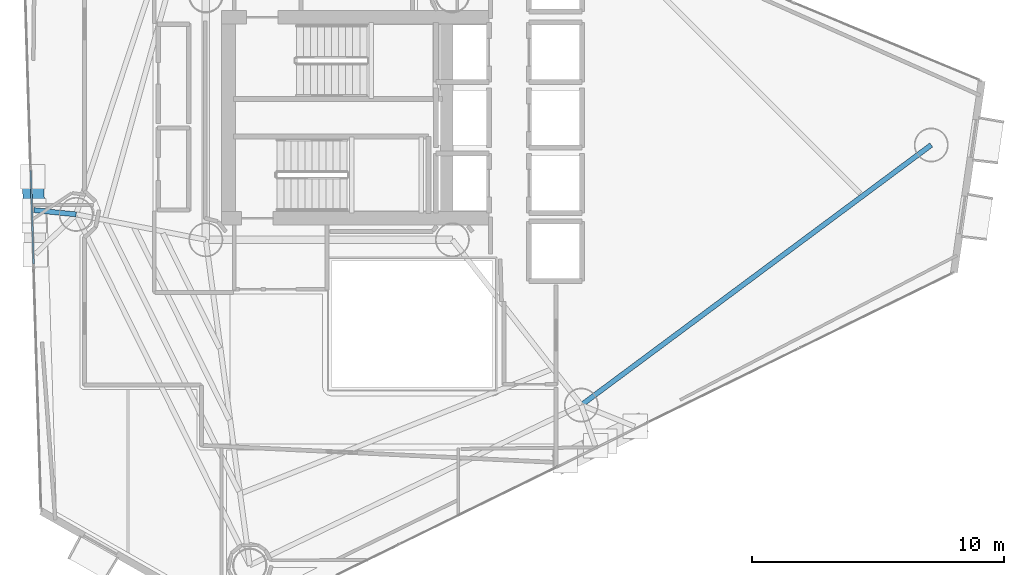
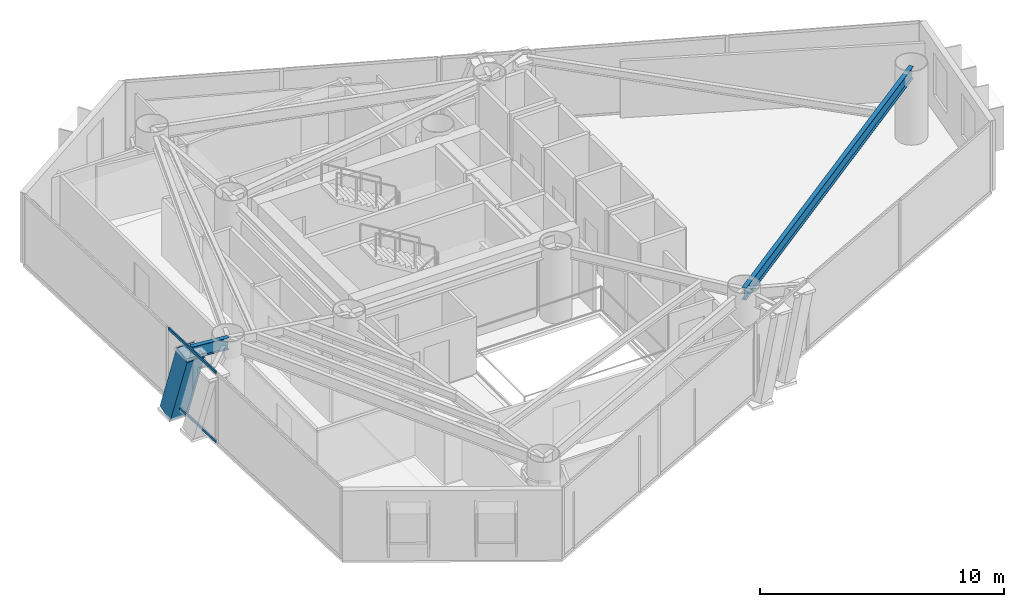
# One storey, part 8 of 23: 3 members, 2 beams, 1 element without a shape of its own.
"""IFC4 building model written with IfcOpenShell, lengths in metres."""

from ifc_helpers import new_model, si_unit, direction, frame, origin, origin_2d, place, context, subcontext, project, spatial, hollow_rectangle, i_section, extrude, material, layer, layer_set, material_profile, profile_set, type_object, element, aggregate, save


model = new_model("IFC4")

# Units and contexts
model_context = context("Model", 3, precision=1e-05, world=origin(), true_north=direction((0.0, 1.0)))
body_context = subcontext(model_context, "Body", "Model", "MODEL_VIEW")
ifc_project = project(units=[si_unit("LENGTHUNIT", "METRE"), si_unit("AREAUNIT", "SQUARE_METRE"), si_unit("VOLUMEUNIT", "CUBIC_METRE"), si_unit("PLANEANGLEUNIT", "RADIAN"), si_unit("MASSUNIT", "GRAM", prefix="KILO")], contexts=[model_context])

# Site, building, storey
site_placement = place(None, origin())
site = spatial("IfcSite", under=ifc_project, at=site_placement, CompositionType="ELEMENT")
building_placement = place(site_placement, origin())
building = spatial("IfcBuilding", under=site, at=building_placement, Name="Qianvela Tower", CompositionType="ELEMENT")
storey_placement = place(building_placement, frame((0.0, 0.0, 162.39990234375)))
storey = spatial("IfcBuildingStorey", under=building, at=storey_placement, Name="L41", CompositionType="ELEMENT", Elevation=162.39990234375)

# Beams
ifc_material_1 = material(Name="Steel Q355B", Category="steel")
ifc_material_profile_1 = material_profile(ifc_material_1, i_section(OverallWidth=0.199951171875, OverallDepth=0.60009765625, WebThickness=0.010986328125, FlangeThickness=0.01708984375, at=origin_2d()), Name="HN600x200x11x17")
ifc_profile_set_1 = profile_set([ifc_material_profile_1], Name="Steel Q355B")
beam_type = type_object("IfcBeamType", Name="BM-HN600-GIRD", PredefinedType="BEAM", material=ifc_profile_set_1)
beam_1_placement = place(storey_placement, frame((23.446044921875, 24.85888671875, 3.218017578125), z_axis=(-0.994979666615, 0.100077285245, 0.0), x_axis=(-0.100077285245, -0.994979666615, 0.0)))
element("IfcBeam", 1, at=beam_1_placement, inside=storey, type_object=beam_type, Name="L41 Mega-Brace Column Tie Bracket F2-1", PredefinedType="BEAM", context=body_context, shape_type="SweptSolid", body=[
    extrude(i_section(OverallWidth=0.199951171875, OverallDepth=0.60009765625, WebThickness=0.010986328125, FlangeThickness=0.01708984375, at=origin_2d()), origin(), (0.0, 0.0, 1.0), 1.685791015625),
])
beam_2_placement = place(storey_placement, frame((43.52490234375, 17.279052734375, 3.218017578125), z_axis=(0.802568869864, 0.596559476603, 0.0), x_axis=(-0.596559476603, 0.802568869864, 0.0)))
element("IfcBeam", 2, at=beam_2_placement, inside=storey, type_object=beam_type, Name="L41 Perimeter Ring Spandrel Girder 6", PredefinedType="BEAM", context=body_context, shape_type="SweptSolid", body=[
    extrude(i_section(OverallWidth=0.199951171875, OverallDepth=0.60009765625, WebThickness=0.010986328125, FlangeThickness=0.01708984375, at=origin_2d()), origin(), (0.0, 0.0, 1.0), 17.330810546875),
])

# Curtain wall, members
ifc_material_2 = material(Name="Anodised Architectural Aluminium and Insulated Spandrel Panel", Category="aluminium")
ifc_layer = layer(ifc_material_2, 0.179931640625)
ifc_layer_set = layer_set([ifc_layer], Name="Anodised Architectural Aluminium and Insulated Spandrel Panel")
curtain_wall_type = type_object("IfcCurtainWallType", Name="CW-BRACEBAY", PredefinedType="USERDEFINED", material=ifc_layer_set)
curtain_wall_placement = place(storey_placement, origin())
curtain_wall = element("IfcCurtainWall", 3, at=curtain_wall_placement, inside=storey, type_object=curtain_wall_type, Name="L41 CW-BRACEBAY Curtain Wall 04B", ObjectType="CURTAIN_WALL_SYSTEM", PredefinedType="USERDEFINED")
ifc_material_3 = material(Name="Anodised Architectural Aluminium 6063-T6", Category="aluminium")
ifc_material_profile_2 = material_profile(ifc_material_3, hollow_rectangle(XDim=0.06494140625, YDim=0.1298828125, WallThickness=0.00439453125, at=origin_2d()), Name="ALU-TRAN-65x130")
ifc_profile_set_2 = profile_set([ifc_material_profile_2], Name="Anodised Architectural Aluminium 6063-T6")
member_type_1 = type_object("IfcMemberType", Name="CW-BRACEBAY-TRAN", PredefinedType="USERDEFINED", material=ifc_profile_set_2)
member_1_placement = place(storey_placement, frame((21.639892578125, 26.611572265625, 0.03271484375), z_axis=(0.03069934142, -0.999528664139, 0.0), x_axis=(0.999528664139, 0.03069934142, 0.0)))
member_1 = element("IfcMember", 4, at=member_1_placement, type_object=member_type_1, Name="CW-9 transom 1.1", ObjectType="TRANSOM", PredefinedType="USERDEFINED", context=body_context, shape_type="SweptSolid", body=[
    extrude(hollow_rectangle(XDim=0.06494140625, YDim=0.1298828125, WallThickness=0.00439453125, at=origin_2d()), origin(), (0.0, 0.0, 1.0), 3.729736328125),
])
member_2_placement = place(storey_placement, frame((21.639892578125, 26.611572265625, 3.487548828125), z_axis=(0.03069934142, -0.999528664139, 0.0), x_axis=(0.999528664139, 0.03069934142, 0.0)))
member_2 = element("IfcMember", 5, at=member_2_placement, type_object=member_type_1, Name="CW-9 transom 1.2", ObjectType="TRANSOM", PredefinedType="USERDEFINED", context=body_context, shape_type="SweptSolid", body=[
    extrude(hollow_rectangle(XDim=0.06494140625, YDim=0.1298828125, WallThickness=0.00439453125, at=origin_2d()), origin(), (0.0, 0.0, 1.0), 3.729736328125),
])
aggregate(curtain_wall, [member_1, member_2])

# Member
ifc_material_4 = material(Name="Steel Q420GJC", Category="steel")
ifc_material_profile_3 = material_profile(ifc_material_4, hollow_rectangle(XDim=0.85009765625, YDim=0.85009765625, WallThickness=0.031982421875, at=origin_2d()), Name="MBOX-850x850x32")
ifc_profile_set_3 = profile_set([ifc_material_profile_3], Name="Steel Q420GJC")
member_type_2 = type_object("IfcMemberType", Name="MBR-MBRACE-850", PredefinedType="BRACE", material=ifc_profile_set_3)
member_3_placement = place(storey_placement, frame((21.728515625, 26.339599609375, -0.48193359375), z_axis=(0.010260901842, -0.334194463632, 0.942448287372), x_axis=(0.999528984016, 0.030688924891, 0.0)))
element("IfcMember", 6, at=member_3_placement, inside=storey, type_object=member_type_2, Name="L41 Tier 7 Exterior Mega-Brace F2A", PredefinedType="BRACE", context=body_context, shape_type="SweptSolid", body=[
    extrude(hollow_rectangle(XDim=0.85009765625, YDim=0.85009765625, WallThickness=0.031982421875, at=origin_2d()), origin(), (0.0, 0.0, 1.0), 3.92578125),
])

save(model, "model.ifc")
